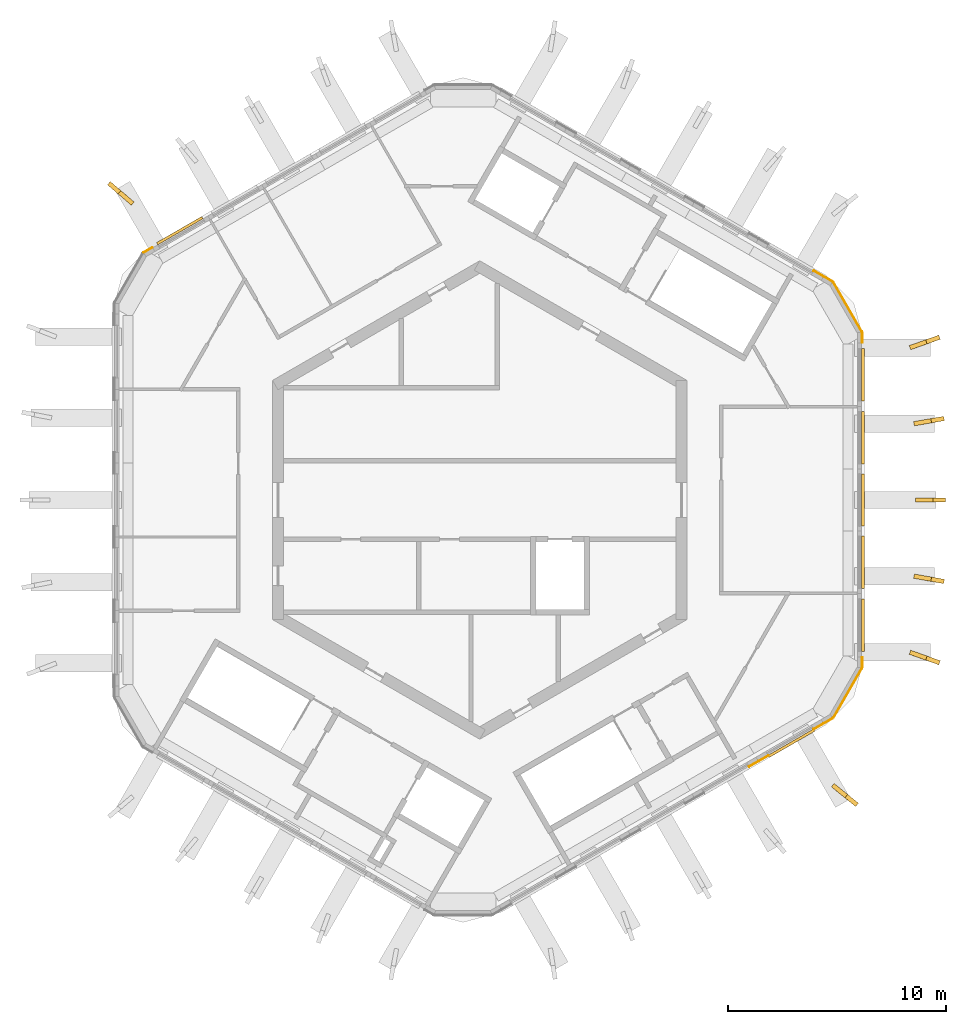
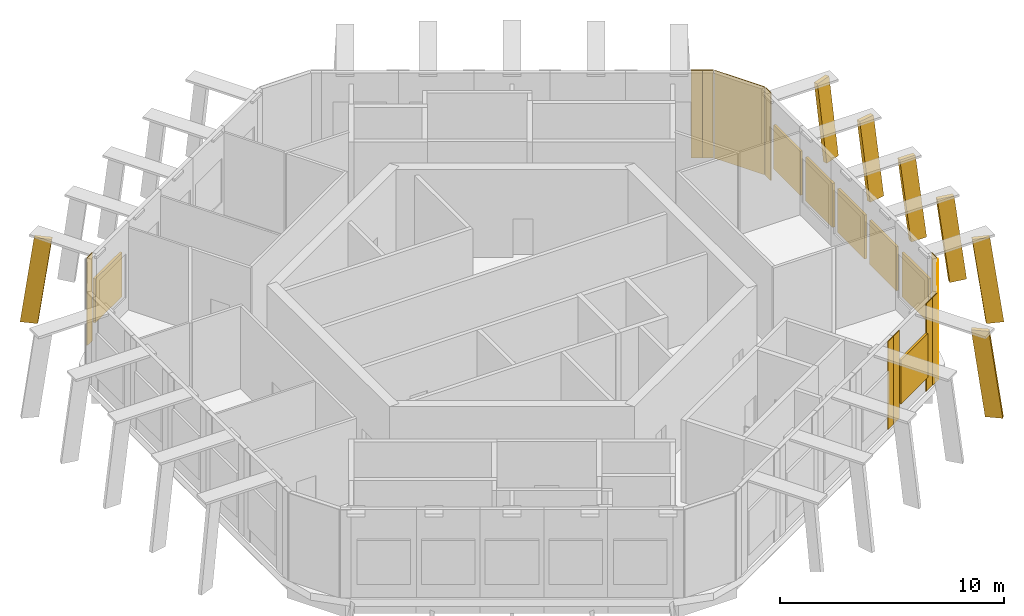
# One storey, part 7 of 8: 14 shading devices, 11 coverings.
"""IFC4 building model written with IfcOpenShell, lengths in metres."""

from ifc_helpers import new_model, si_unit, direction, frame, origin, origin_2d, place, context, subcontext, project, spatial, polyline, rectangle, outline, extrude, material, layer, layer_set, type_object, element, save


model = new_model("IFC4")

# Units and contexts
model_context = context("Model", 3, precision=1e-05, world=origin(), true_north=direction((0.0, 1.0)))
body_context = subcontext(model_context, "Body", "Model", "MODEL_VIEW")
ifc_project = project(units=[si_unit("LENGTHUNIT", "METRE"), si_unit("AREAUNIT", "SQUARE_METRE"), si_unit("VOLUMEUNIT", "CUBIC_METRE"), si_unit("PLANEANGLEUNIT", "RADIAN"), si_unit("MASSUNIT", "GRAM", prefix="KILO")], contexts=[model_context])

# Site, building, storey
site_placement = place(None, origin())
site = spatial("IfcSite", under=ifc_project, at=site_placement, CompositionType="ELEMENT")
building_placement = place(site_placement, origin())
building = spatial("IfcBuilding", under=site, at=building_placement, Name="Ayvan Gate Tower", CompositionType="ELEMENT")
storey_placement = place(building_placement, frame((0.0, 0.0, 262.89990234375)))
storey = spatial("IfcBuildingStorey", under=building, at=storey_placement, Name="L70", CompositionType="ELEMENT", Elevation=262.89990234375)

# Shading devices
ifc_material_1 = material(Name="Bronze anodised aluminium", Category="aluminium")
ifc_layer_1 = layer(ifc_material_1, 0.199951171875)
ifc_layer_set_1 = layer_set([ifc_layer_1], Name="Bronze anodised aluminium")
shading_device_type_1 = type_object("IfcShadingDeviceType", Name="Crown frame rib 800 x 200", PredefinedType="USERDEFINED", material=ifc_layer_set_1)
shading_device_1_placement = place(storey_placement, frame((-16.333251953125, 14.083740234375, 0.0), z_axis=(0.649533614947, 0.76033281712, 0.000300439327), x_axis=(-0.760332851436, 0.649533644261, 0.0)))
element("IfcShadingDevice", 1, at=shading_device_1_placement, inside=storey, type_object=shading_device_type_1, Name="CROWN FRAME rib FR08.3.5", ObjectType="FIN", PredefinedType="USERDEFINED", context=body_context, shape_type="SweptSolid", body=[
    extrude(outline(polyline([(0.0, 0.0), (0.7998527167760876, 0.0), (0.15838402266127916, 4.680175992475213), (-0.6414686941148083, 4.680175992475213), (0.0, 0.0)])), origin(), (0.0, 0.0, -1.0), 0.199951171875),
])
shading_device_2_placement = place(storey_placement, frame((16.615478515625, -13.554443359375, 0.0), z_axis=(-0.62853951177, -0.777777589583, 0.000321381192), x_axis=(0.777777629764, -0.628539544213, 6.8966e-08)))
element("IfcShadingDevice", 2, at=shading_device_2_placement, inside=storey, type_object=shading_device_type_1, Name="CROWN FRAME rib FR08.6.5", ObjectType="FIN", PredefinedType="USERDEFINED", context=body_context, shape_type="SweptSolid", body=[
    extrude(outline(polyline([(0.0, 0.0), (0.799980004834399, 2.710505431213761e-20), (0.16577702850807458, 4.680176011515077), (-0.6341665412468442, 4.680176121855311), (0.0, 0.0)])), origin(), (0.0, 0.0, -1.0), 0.199951171875),
])
shading_device_3_placement = place(storey_placement, frame((20.296630859375, -7.29150390625, 0.0), z_axis=(-0.333705893218, -0.942677187153, 0.000312495146), x_axis=(0.942677233176, -0.333705909525, -4.4947e-08)))
element("IfcShadingDevice", 3, at=shading_device_3_placement, inside=storey, type_object=shading_device_type_1, Name="CROWN FRAME rib FR08.1.1", ObjectType="FIN", PredefinedType="USERDEFINED", context=body_context, shape_type="SweptSolid", body=[
    extrude(outline(polyline([(0.0, 0.0), (0.8000498628663514, -1.3552527156068805e-20), (0.15849973301967973, 4.680176016891195), (-0.6414686586773538, 4.680175944975408), (0.0, 0.0)])), origin(), (0.0, 0.0, -1.0), 0.199951171875),
])
shading_device_4_placement = place(storey_placement, frame((20.484130859375, -3.697021484375, 0.0), z_axis=(-0.17290596172, -0.984938285032, 0.000321059975), x_axis=(0.984938335793, -0.172905970647, -4.8257e-08)))
element("IfcShadingDevice", 4, at=shading_device_4_placement, inside=storey, type_object=shading_device_type_1, Name="CROWN FRAME rib FR08.1.2", ObjectType="FIN", PredefinedType="USERDEFINED", context=body_context, shape_type="SweptSolid", body=[
    extrude(outline(polyline([(0.0, 0.0), (0.7999105700587765, -6.776263578034403e-21), (0.20200119015907747, 4.680176032213182), (-0.597867166527959, 4.680175955012026), (0.0, 0.0)])), origin(), (0.0, 0.0, -1.0), 0.199951171875),
])
shading_device_5_placement = place(storey_placement, frame((20.562255859375, -0.099853515625, 0.0), z_axis=(0.0, -0.999999951019, 0.00031298903), x_axis=(1.0, 0.0, 0.0)))
element("IfcShadingDevice", 5, at=shading_device_5_placement, inside=storey, type_object=shading_device_type_1, Name="CROWN FRAME rib FR08.1.3", ObjectType="FIN", PredefinedType="USERDEFINED", context=body_context, shape_type="SweptSolid", body=[
    extrude(outline(polyline([(0.0, 0.0), (0.800048828125, 0.0), (0.216796875, 4.680176010490018), (-0.583251953125, 4.680176010490018), (0.0, 0.0)])), origin(), (0.0, 0.0, -1.0), 0.199951171875),
])
shading_device_6_placement = place(storey_placement, frame((20.5185546875, 3.500244140625, 0.0), z_axis=(0.172853998736, -0.984947410272, 0.000306789523), x_axis=(0.984947456621, 0.172854006884, 4.6099e-08)))
element("IfcShadingDevice", 6, at=shading_device_6_placement, inside=storey, type_object=shading_device_type_1, Name="CROWN FRAME rib FR08.1.4", ObjectType="FIN", PredefinedType="USERDEFINED", context=body_context, shape_type="SweptSolid", body=[
    extrude(outline(polyline([(0.0, 0.0), (0.8001510282899811, 0.0), (0.20226765329344637, 4.680175992174312), (-0.5978411743112603, 4.68017606594472), (0.0, 0.0)])), origin(), (0.0, 0.0, -1.0), 0.199951171875),
])
shading_device_7_placement = place(storey_placement, frame((20.36328125, 7.10302734375, 0.0), z_axis=(0.333841475742, -0.942629176021, 0.000324943379), x_axis=(0.942629225786, 0.333841493367, 0.0)))
element("IfcShadingDevice", 7, at=shading_device_7_placement, inside=storey, type_object=shading_device_type_1, Name="CROWN FRAME rib FR08.1.5", ObjectType="FIN", PredefinedType="USERDEFINED", context=body_context, shape_type="SweptSolid", body=[
    extrude(outline(polyline([(0.0, 0.0), (0.8000498711419429, 0.0), (0.1587873803653011, 4.680176028335686), (-0.6412624907766419, 4.680176028335686), (0.0, 0.0)])), origin(), (0.0, 0.0, -1.0), 0.199951171875),
])

# Coverings
ifc_material_2 = material(Name="Pale metal cladding")
ifc_layer_2 = layer(ifc_material_2, 0.0400390625)
ifc_layer_set_2 = layer_set([ifc_layer_2], Name="Pale metal cladding")
covering_type = type_object("IfcCoveringType", Name="Drum cladding panel 40", PredefinedType="CLADDING", material=ifc_layer_set_2)
covering_1_placement = place(storey_placement, frame((-15.20751953125, 11.464599609375, 0.0), z_axis=(0.0, 0.0, 1.0), x_axis=(-0.866025403784, -0.5, 0.0)))
element("IfcCovering", 8, at=covering_1_placement, inside=storey, type_object=covering_type, Name="Drum cladding panel L70.C01.0", PredefinedType="CLADDING", context=body_context, shape_type="SweptSolid", body=[
    extrude(rectangle(XDim=0.47509765625, YDim=0.0400390625, at=origin_2d()), origin(), (0.0, 0.0, 1.0), 4.800048828125),
])
covering_2_placement = place(storey_placement, frame((12.565673828125, -12.103271484375, 0.0), z_axis=(0.0, 0.0, 1.0), x_axis=(0.866025403784, 0.5, 0.0)))
element("IfcCovering", 9, at=covering_2_placement, inside=storey, type_object=covering_type, Name="Drum cladding panel L70.F06.3.1", PredefinedType="CLADDING", context=body_context, shape_type="SweptSolid", body=[
    extrude(rectangle(XDim=0.491943359375, YDim=0.0400390625, at=origin_2d()), origin(), (0.0, 0.0, 1.0), 4.800048828125),
])
for number, where, z_axis, x_axis, name in (
    (10, (13.0068359375, -11.848388671875, 0.0), (0.0, 0.0, 1.0), (0.866025403784, 0.5, 0.0), "Drum cladding panel L70.F06.4.0"),
    (11, (15.541748046875, -10.385009765625, 0.0), (0.0, 0.0, 1.0), (0.866025403784, 0.5, 0.0), "Drum cladding panel L70.F06.4.1"),
):
    element("IfcCovering", number, at=place(storey_placement, frame(where, z_axis=z_axis, x_axis=x_axis)), inside=storey, type_object=covering_type, Name=name, PredefinedType="CLADDING", context=body_context, shape_type="SweptSolid", body=[
        extrude(rectangle(XDim=0.527099609375, YDim=0.0400390625, at=origin_2d()), origin(), (0.0, 0.0, 1.0), 4.800048828125),
    ])
covering_3_placement = place(storey_placement, frame((15.9755859375, -10.134521484375, 0.0), z_axis=(0.0, 0.0, 1.0), x_axis=(0.866025403784, 0.5, 0.0)))
element("IfcCovering", 12, at=covering_3_placement, inside=storey, type_object=covering_type, Name="Drum cladding panel L70.C07.0", PredefinedType="CLADDING", context=body_context, shape_type="SweptSolid", body=[
    extrude(rectangle(XDim=0.47509765625, YDim=0.0400390625, at=origin_2d()), origin(), (0.0, 0.0, 1.0), 4.800048828125),
])
covering_4_placement = place(storey_placement, frame((16.870849609375, -8.853515625, 0.0), z_axis=(0.0, 0.0, 1.0), x_axis=(0.5, 0.866025403784, 0.0)))
element("IfcCovering", 13, at=covering_4_placement, inside=storey, type_object=covering_type, Name="Drum cladding panel L70.C07.1", PredefinedType="CLADDING", context=body_context, shape_type="SweptSolid", body=[
    extrude(rectangle(XDim=2.58251953125, YDim=0.0400390625, at=origin_2d()), origin(), (0.0, 0.0, 1.0), 4.800048828125),
])
for number, where, z_axis, x_axis, name in (
    (14, (17.532470703125, -7.437744140625, 0.0), (0.0, 0.0, 1.0), (0.0, 1.0, 0.0), "Drum cladding panel L70.C07.2"),
    (15, (17.532470703125, 7.437744140625, 0.0), (0.0, 0.0, 1.0), (0.0, 1.0, 0.0), "Drum cladding panel L70.C09.0"),
):
    element("IfcCovering", number, at=place(storey_placement, frame(where, z_axis=z_axis, x_axis=x_axis)), inside=storey, type_object=covering_type, Name=name, PredefinedType="CLADDING", context=body_context, shape_type="SweptSolid", body=[
        extrude(rectangle(XDim=0.47509765625, YDim=0.0400390625, at=origin_2d()), origin(), (0.0, 0.0, 1.0), 4.800048828125),
    ])
covering_5_placement = place(storey_placement, frame((16.870849609375, 8.853515625, 0.0), z_axis=(0.0, 0.0, 1.0), x_axis=(-0.5, 0.866025403784, 0.0)))
element("IfcCovering", 16, at=covering_5_placement, inside=storey, type_object=covering_type, Name="Drum cladding panel L70.C09.1", PredefinedType="CLADDING", context=body_context, shape_type="SweptSolid", body=[
    extrude(rectangle(XDim=2.58251953125, YDim=0.0400390625, at=origin_2d()), origin(), (0.0, 0.0, 1.0), 4.800048828125),
])
covering_6_placement = place(storey_placement, frame((15.9755859375, 10.134521484375, 0.0), z_axis=(0.0, 0.0, 1.0), x_axis=(-0.866025403784, 0.5, 0.0)))
element("IfcCovering", 17, at=covering_6_placement, inside=storey, type_object=covering_type, Name="Drum cladding panel L70.C09.2", PredefinedType="CLADDING", context=body_context, shape_type="SweptSolid", body=[
    extrude(rectangle(XDim=0.47509765625, YDim=0.0400390625, at=origin_2d()), origin(), (0.0, 0.0, 1.0), 4.800048828125),
])
covering_7_placement = place(storey_placement, frame((15.541748046875, 10.385009765625, 0.0), z_axis=(0.0, 0.0, 1.0), x_axis=(-0.866025403784, 0.5, 0.0)))
element("IfcCovering", 18, at=covering_7_placement, inside=storey, type_object=covering_type, Name="Drum cladding panel L70.F10.0.0", PredefinedType="CLADDING", context=body_context, shape_type="SweptSolid", body=[
    extrude(rectangle(XDim=0.527099609375, YDim=0.0400390625, at=origin_2d()), origin(), (0.0, 0.0, 1.0), 4.800048828125),
])

# Shading devices
ifc_material_3 = material(Name="Anodised aluminium louvre", Category="aluminium")
ifc_layer_3 = layer(ifc_material_3, 0.1201171875)
ifc_layer_set_3 = layer_set([ifc_layer_3], Name="Anodised aluminium louvre")
shading_device_type_2 = type_object("IfcShadingDeviceType", Name="Plant louvre 2400 x 2400", PredefinedType="USERDEFINED", material=ifc_layer_set_3)
for number, where, z_axis, x_axis, name in (
    (19, (-13.7568359375, 12.348388671875, 0.800048828125), (0.0, 0.0, 1.0), (-0.866025403784, -0.5, 0.0), "Plant louvre L70.0.4"),
    (20, (14.294189453125, -11.1513671875, 0.800048828125), (0.0, 0.0, 1.0), (0.866025403784, 0.5, 0.0), "Plant louvre L70.6.4"),
    (21, (17.572509765625, -5.7392578125, 0.800048828125), (0.0, 0.0, 1.0), (0.0, 1.0, 0.0), "Plant louvre L70.8.0"),
    (22, (17.572509765625, -2.852294921875, 0.800048828125), (0.0, 0.0, 1.0), (0.0, 1.0, 0.0), "Plant louvre L70.8.1"),
    (23, (17.572509765625, -0.000244140625, 0.800048828125), (0.0, 0.0, 1.0), (0.0, 1.0, 0.0), "Plant louvre L70.8.2"),
    (24, (17.572509765625, 2.852294921875, 0.800048828125), (0.0, 0.0, 1.0), (0.0, 1.0, 0.0), "Plant louvre L70.8.3"),
    (25, (17.572509765625, 5.739501953125, 0.800048828125), (0.0, 0.0, 1.0), (0.0, 1.0, 0.0), "Plant louvre L70.8.4"),
):
    element("IfcShadingDevice", number, at=place(storey_placement, frame(where, z_axis=z_axis, x_axis=x_axis)), inside=storey, type_object=shading_device_type_2, Name=name, ObjectType="LOUVRE", PredefinedType="USERDEFINED", context=body_context, shape_type="SweptSolid", body=[
        extrude(rectangle(XDim=2.39990234375, YDim=0.1201171875, at=origin_2d()), origin(), (0.0, 0.0, 1.0), 2.39990234375),
    ])

save(model, "model.ifc")
